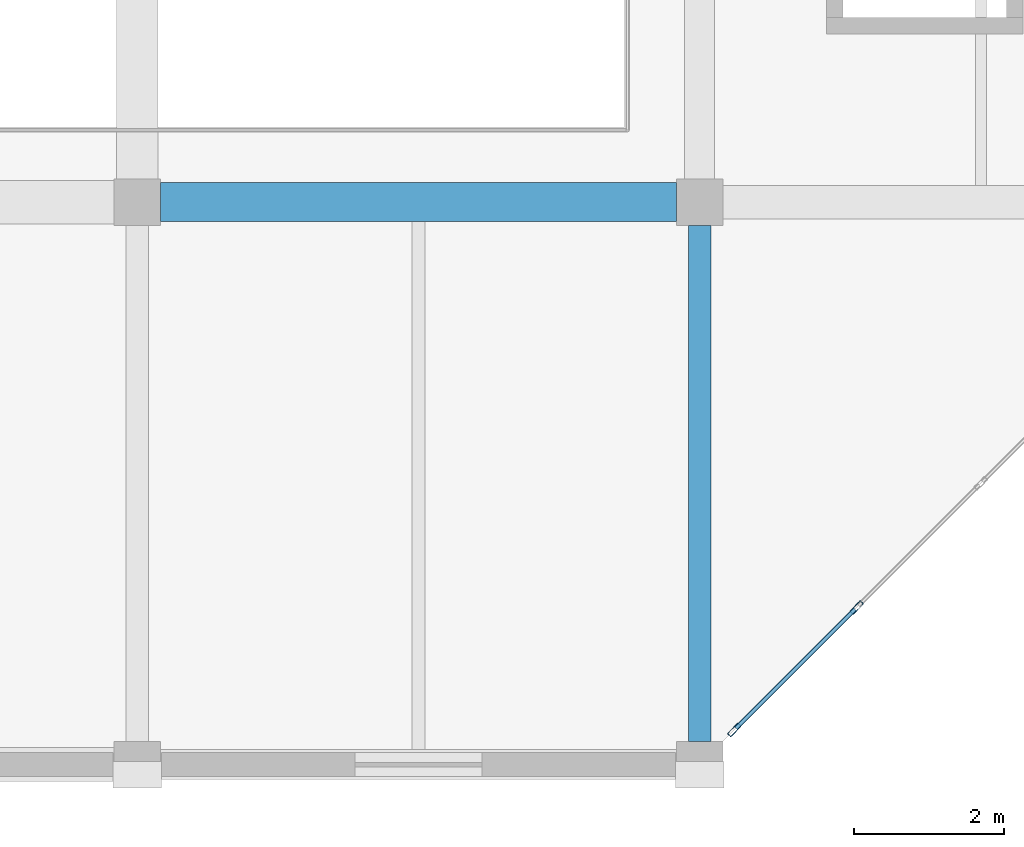
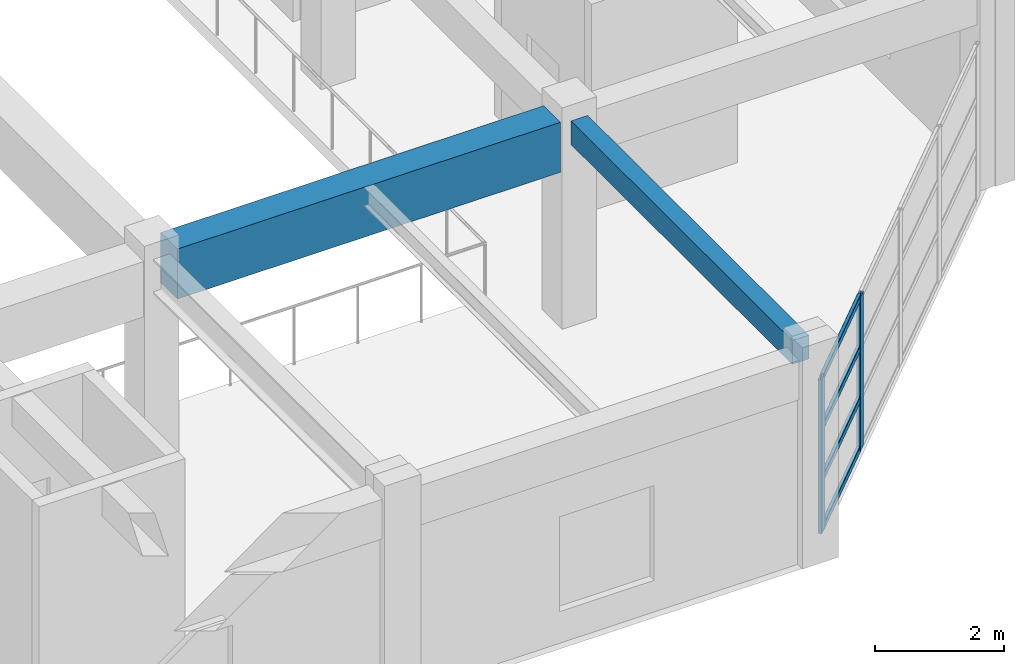
# One storey, part 61 of 124: 6 members, 2 beams, 1 element without a shape of its own.
"""IFC4 building model written with IfcOpenShell, lengths in metres."""

from ifc_helpers import new_model, si_unit, direction, frame, origin, origin_2d, place, context, subcontext, project, spatial, rectangle, hollow_rectangle, extrude, material, material_profile, profile_set, type_object, element, aggregate, save


model = new_model("IFC4")

# Units and contexts
model_context = context("Model", 3, precision=1e-05, world=origin(), true_north=direction((0.0, 1.0)))
body_context = subcontext(model_context, "Body", "Model", "MODEL_VIEW")
ifc_project = project(units=[si_unit("LENGTHUNIT", "METRE"), si_unit("AREAUNIT", "SQUARE_METRE"), si_unit("VOLUMEUNIT", "CUBIC_METRE"), si_unit("PLANEANGLEUNIT", "RADIAN"), si_unit("MASSUNIT", "GRAM", prefix="KILO")], contexts=[model_context])

# Site, building, storey
site_placement = place(None, origin())
site = spatial("IfcSite", under=ifc_project, at=site_placement, CompositionType="ELEMENT")
building_placement = place(site_placement, origin())
building = spatial("IfcBuilding", under=site, at=building_placement, Name="Qasida Concert Hall", CompositionType="ELEMENT")
storey_placement = place(building_placement, frame((0.0, 0.0, 9.0)))
storey = spatial("IfcBuildingStorey", under=building, at=storey_placement, Name="L02", CompositionType="ELEMENT", Elevation=9.0)

# Beams
ifc_material_1 = material(Name="Concrete C40/50", Category="concrete")
ifc_material_profile_1 = material_profile(ifc_material_1, rectangle(XDim=0.300048828125, YDim=0.449951171875, at=origin_2d()), Name="RC 300x450")
ifc_profile_set_1 = profile_set([ifc_material_profile_1], Name="Concrete C40/50")
beam_type_1 = type_object("IfcBeamType", Name="BM-B3", PredefinedType="BEAM", material=ifc_profile_set_1)
beam_1_placement = place(storey_placement, frame((157.5, 0.31005859375, 3.675048828125), z_axis=(0.0, 1.0, 0.0), x_axis=(-1.0, 0.0, 0.0)))
element("IfcBeam", 1, at=beam_1_placement, inside=storey, type_object=beam_type_1, Name="L02 girder 1253", PredefinedType="BEAM", context=body_context, shape_type="SweptSolid", body=[
    extrude(rectangle(XDim=0.300048828125, YDim=0.449951171875, at=origin_2d()), origin(), (0.0, 0.0, 1.0), 6.8798828125),
])
ifc_material_profile_2 = material_profile(ifc_material_1, rectangle(XDim=0.52001953125, YDim=0.949951171875, at=origin_2d()), Name="RC 520x950")
ifc_profile_set_2 = profile_set([ifc_material_profile_2], Name="Concrete C40/50")
beam_type_2 = type_object("IfcBeamType", Name="BM-G7", PredefinedType="USERDEFINED", material=ifc_profile_set_2)
beam_2_placement = place(storey_placement, frame((150.31005859375, 7.5, 3.425048828125), z_axis=(1.0, 0.0, 0.0), x_axis=(0.0, 1.0, 0.0)))
element("IfcBeam", 2, at=beam_2_placement, inside=storey, type_object=beam_type_2, Name="Primary girder 1229", ObjectType="GIRDER", PredefinedType="USERDEFINED", context=body_context, shape_type="SweptSolid", body=[
    extrude(rectangle(XDim=0.52001953125, YDim=0.949951171875, at=origin_2d()), origin(), (0.0, 0.0, 1.0), 6.8798828125),
])

# Curtain wall, members
ifc_material_2 = material(Name="Architectural bronze-anodized aluminium and low-E glass", Category="aluminium")
curtain_wall_type = type_object("IfcCurtainWallType", Name="CW-07", PredefinedType="NOTDEFINED", material=ifc_material_2)
curtain_wall_placement = place(storey_placement, origin())
curtain_wall = element("IfcCurtainWall", 3, at=curtain_wall_placement, inside=storey, type_object=curtain_wall_type, Name="L02 curtain wall CW-07 0147", PredefinedType="NOTDEFINED")
ifc_material_3 = material(Name="Architectural bronze-anodized aluminium EN AW-6063", Category="aluminium")
ifc_material_profile_3 = material_profile(ifc_material_3, hollow_rectangle(XDim=0.06494140625, YDim=0.199951171875, WallThickness=0.0048828125, InnerFilletRadius=0.0048828125, OuterFilletRadius=0.010009765625, at=origin_2d()), Name="CWM 200x65x5")
ifc_profile_set_3 = profile_set([ifc_material_profile_3], Name="Architectural bronze-anodized aluminium EN AW-6063")
member_type_1 = type_object("IfcMemberType", Name="MB-CWM-2", PredefinedType="MULLION", material=ifc_profile_set_3)
member_1_placement = place(storey_placement, frame((157.96142578125, 0.46142578125, 0.0), z_axis=(0.0, 0.0, 1.0), x_axis=(-0.707106781187, 0.707106781187, 0.0)))
member_1 = element("IfcMember", 4, at=member_1_placement, type_object=member_type_1, Name="CW-07 mullion 1", PredefinedType="MULLION", context=body_context, shape_type="SweptSolid", body=[
    extrude(hollow_rectangle(XDim=0.06494140625, YDim=0.199951171875, WallThickness=0.0048828125, InnerFilletRadius=0.0048828125, OuterFilletRadius=0.010009765625, at=origin_2d()), origin(), (0.0, 0.0, 1.0), 2.919921875),
])
member_2_placement = place(storey_placement, frame((159.59423828125, 2.09423828125, 0.0), z_axis=(0.0, 0.0, 1.0), x_axis=(-0.707106781187, 0.707106781187, 0.0)))
member_2 = element("IfcMember", 5, at=member_2_placement, type_object=member_type_1, Name="CW-07 mullion 2", PredefinedType="MULLION", context=body_context, shape_type="SweptSolid", body=[
    extrude(hollow_rectangle(XDim=0.06494140625, YDim=0.199951171875, WallThickness=0.0048828125, InnerFilletRadius=0.0048828125, OuterFilletRadius=0.010009765625, at=origin_2d()), origin(), (0.0, 0.0, 1.0), 2.919921875),
])
ifc_material_profile_4 = material_profile(ifc_material_3, hollow_rectangle(XDim=0.06005859375, YDim=0.1201171875, WallThickness=0.00390625, InnerFilletRadius=0.00390625, OuterFilletRadius=0.008056640625, at=origin_2d()), Name="CWT 120x60x4")
ifc_profile_set_4 = profile_set([ifc_material_profile_4], Name="Architectural bronze-anodized aluminium EN AW-6063")
member_type_2 = type_object("IfcMemberType", Name="MB-CWT-2", PredefinedType="USERDEFINED", material=ifc_profile_set_4)
member_3_placement = place(storey_placement, frame((157.984375, 0.484375, 0.030029296875), z_axis=(0.707106781187, 0.707106781187, 0.0), x_axis=(-0.707106781187, 0.707106781187, 0.0)))
member_3 = element("IfcMember", 6, at=member_3_placement, type_object=member_type_2, Name="CW-07 transom 1.1", ObjectType="TRANSOM", PredefinedType="USERDEFINED", context=body_context, shape_type="SweptSolid", body=[
    extrude(hollow_rectangle(XDim=0.06005859375, YDim=0.1201171875, WallThickness=0.00390625, InnerFilletRadius=0.00390625, OuterFilletRadius=0.008056640625, at=origin_2d()), origin(), (0.0, 0.0, 1.0), 2.244140625),
])
member_4_placement = place(storey_placement, frame((157.984375, 0.484375, 0.973388671875), z_axis=(0.707106781187, 0.707106781187, 0.0), x_axis=(-0.707106781187, 0.707106781187, 0.0)))
member_4 = element("IfcMember", 7, at=member_4_placement, type_object=member_type_2, Name="CW-07 transom 1.2", ObjectType="TRANSOM", PredefinedType="USERDEFINED", context=body_context, shape_type="SweptSolid", body=[
    extrude(hollow_rectangle(XDim=0.06005859375, YDim=0.1201171875, WallThickness=0.00390625, InnerFilletRadius=0.00390625, OuterFilletRadius=0.008056640625, at=origin_2d()), origin(), (0.0, 0.0, 1.0), 2.244140625),
])
member_5_placement = place(storey_placement, frame((157.984375, 0.484375, 1.94677734375), z_axis=(0.707106781187, 0.707106781187, 0.0), x_axis=(-0.707106781187, 0.707106781187, 0.0)))
member_5 = element("IfcMember", 8, at=member_5_placement, type_object=member_type_2, Name="CW-07 transom 1.3", ObjectType="TRANSOM", PredefinedType="USERDEFINED", context=body_context, shape_type="SweptSolid", body=[
    extrude(hollow_rectangle(XDim=0.06005859375, YDim=0.1201171875, WallThickness=0.00390625, InnerFilletRadius=0.00390625, OuterFilletRadius=0.008056640625, at=origin_2d()), origin(), (0.0, 0.0, 1.0), 2.244140625),
])
member_6_placement = place(storey_placement, frame((157.984375, 0.484375, 2.889892578125), z_axis=(0.707106781187, 0.707106781187, 0.0), x_axis=(-0.707106781187, 0.707106781187, 0.0)))
member_6 = element("IfcMember", 9, at=member_6_placement, type_object=member_type_2, Name="CW-07 transom 1.4", ObjectType="TRANSOM", PredefinedType="USERDEFINED", context=body_context, shape_type="SweptSolid", body=[
    extrude(hollow_rectangle(XDim=0.06005859375, YDim=0.1201171875, WallThickness=0.00390625, InnerFilletRadius=0.00390625, OuterFilletRadius=0.008056640625, at=origin_2d()), origin(), (0.0, 0.0, 1.0), 2.244140625),
])
aggregate(curtain_wall, [member_1, member_2, member_3, member_4, member_5, member_6])

save(model, "model.ifc")
